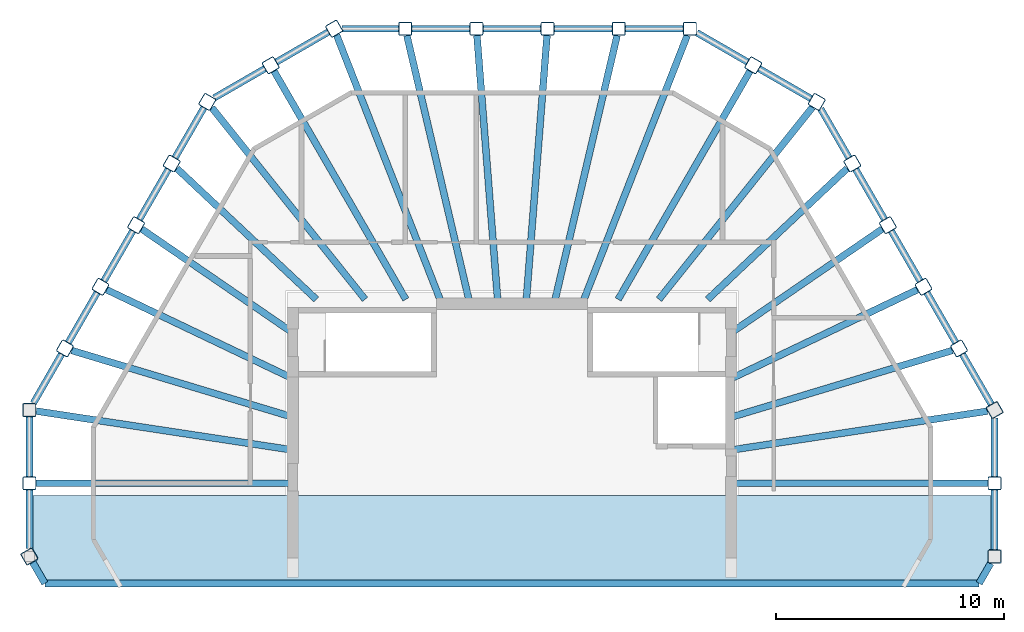
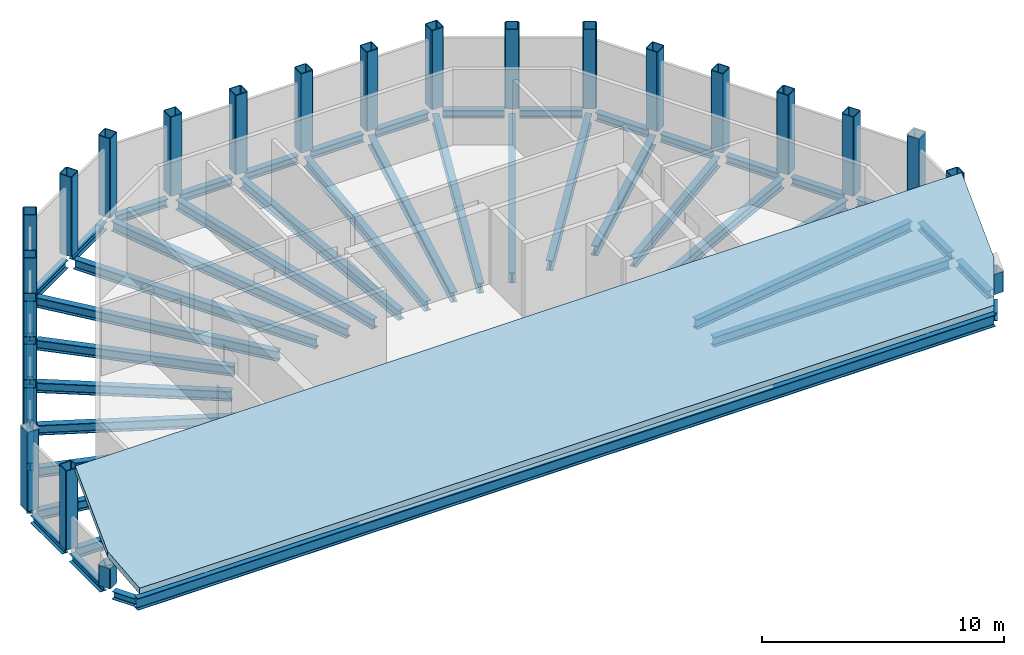
# One storey, part 1 of 4: 48 beams, 24 columns, 1 slab.
"""IFC4 building model written with IfcOpenShell, lengths in metres."""

from ifc_helpers import new_model, si_unit, direction, frame, origin, origin_2d, place, context, subcontext, project, spatial, polyline, hollow_rectangle, i_section, outline, extrude, material, layer, layer_set, material_profile, profile_set, type_object, element, save


model = new_model("IFC4")

# Units and contexts
model_context = context("Model", 3, precision=1e-05, world=origin(), true_north=direction((0.0, 1.0)))
body_context = subcontext(model_context, "Body", "Model", "MODEL_VIEW")
ifc_project = project(units=[si_unit("LENGTHUNIT", "METRE"), si_unit("AREAUNIT", "SQUARE_METRE"), si_unit("VOLUMEUNIT", "CUBIC_METRE"), si_unit("PLANEANGLEUNIT", "RADIAN"), si_unit("MASSUNIT", "GRAM", prefix="KILO")], contexts=[model_context])

# Site, building, storey
site_placement = place(None, origin())
site = spatial("IfcSite", under=ifc_project, at=site_placement, CompositionType="ELEMENT")
building_placement = place(site_placement, origin())
building = spatial("IfcBuilding", under=site, at=building_placement, Name="Frailejon Research Tower", CompositionType="ELEMENT")
storey_placement = place(building_placement, frame((0.0, 0.0, 364.60009765625)))
storey = spatial("IfcBuildingStorey", under=building, at=storey_placement, Name="L82", CompositionType="ELEMENT", Elevation=364.60009765625)

# Columns
ifc_material_1 = material(Name="Steel S355", Category="steel")
ifc_material_profile_1 = material_profile(ifc_material_1, hollow_rectangle(XDim=0.60009765625, YDim=0.60009765625, WallThickness=0.0400390625, InnerFilletRadius=0.0400390625, OuterFilletRadius=0.080078125, at=origin_2d()), Name="Crown column")
ifc_profile_set_1 = profile_set([ifc_material_profile_1], Name="Steel S355")
column_type = type_object("IfcColumnType", Name="Crown column", PredefinedType="COLUMN", material=ifc_profile_set_1)
column_1_placement = place(storey_placement, frame((21.12744140625, -3.2060546875, 0.0), z_axis=(0.0, 0.0, 1.0), x_axis=(0.0, 1.0, 0.0)))
element("IfcColumn", 1, at=column_1_placement, inside=storey, type_object=column_type, Name="Column C01", PredefinedType="COLUMN", context=body_context, shape_type="SweptSolid", body=[
    extrude(hollow_rectangle(XDim=0.60009765625, YDim=0.60009765625, WallThickness=0.0400390625, InnerFilletRadius=0.0400390625, OuterFilletRadius=0.080078125, at=origin_2d()), origin(), (0.0, 0.0, 1.0), 1.02392578125),
])
for number, where, z_axis, x_axis, name in (
    (2, (21.12744140625, 0.0, 0.0), (0.0, 0.0, 1.0), (0.0, 1.0, 0.0), "Column C02"),
    (3, (21.12744140625, 3.2060546875, 0.0), (0.0, 0.0, 1.0), (-0.5, 0.866025403784, 0.0), "Column C03"),
    (4, (19.570068359375, 5.903564453125, 0.0), (0.0, 0.0, 1.0), (-0.5, 0.866025403784, 0.0), "Column C04"),
    (5, (18.0126953125, 8.601318359375, 0.0), (0.0, 0.0, 1.0), (-0.5, 0.866025403784, 0.0), "Column C05"),
    (6, (16.455078125, 11.298828125, 0.0), (0.0, 0.0, 1.0), (-0.5, 0.866025403784, 0.0), "Column C06"),
    (7, (14.897705078125, 13.996337890625, 0.0), (0.0, 0.0, 1.0), (-0.5, 0.866025403784, 0.0), "Column C07"),
    (8, (13.34033203125, 16.69384765625, 0.0), (0.0, 0.0, 1.0), (-0.866025403784, 0.5, 0.0), "Column C08"),
    (9, (10.563720703125, 18.297119140625, 0.0), (0.0, 0.0, 1.0), (-0.866025403784, 0.5, 0.0), "Column C09"),
    (10, (7.787109375, 19.89990234375, 0.0), (0.0, 0.0, 1.0), (-1.0, 0.0, 0.0), "Column C10"),
    (11, (4.67236328125, 19.89990234375, 0.0), (0.0, 0.0, 1.0), (-1.0, 0.0, 0.0), "Column C11"),
    (12, (1.557373046875, 19.89990234375, 0.0), (0.0, 0.0, 1.0), (-1.0, 0.0, 0.0), "Column C12"),
    (13, (-1.557373046875, 19.89990234375, 0.0), (0.0, 0.0, 1.0), (-1.0, 0.0, 0.0), "Column C13"),
    (14, (-4.67236328125, 19.89990234375, 0.0), (0.0, 0.0, 1.0), (-1.0, 0.0, 0.0), "Column C14"),
    (15, (-7.787109375, 19.89990234375, 0.0), (0.0, 0.0, 1.0), (-0.866025403784, -0.5, 0.0), "Column C15"),
    (16, (-10.563720703125, 18.297119140625, 0.0), (0.0, 0.0, 1.0), (-0.866025403784, -0.5, 0.0), "Column C16"),
    (17, (-13.34033203125, 16.69384765625, 0.0), (0.0, 0.0, 1.0), (-0.5, -0.866025403784, 0.0), "Column C17"),
    (18, (-14.897705078125, 13.996337890625, 0.0), (0.0, 0.0, 1.0), (-0.5, -0.866025403784, 0.0), "Column C18"),
    (19, (-16.455078125, 11.298828125, 0.0), (0.0, 0.0, 1.0), (-0.5, -0.866025403784, 0.0), "Column C19"),
    (20, (-18.0126953125, 8.601318359375, 0.0), (0.0, 0.0, 1.0), (-0.5, -0.866025403784, 0.0), "Column C20"),
    (21, (-19.570068359375, 5.903564453125, 0.0), (0.0, 0.0, 1.0), (-0.5, -0.866025403784, 0.0), "Column C21"),
    (22, (-21.12744140625, 3.2060546875, 0.0), (0.0, 0.0, 1.0), (0.0, -1.0, 0.0), "Column C22"),
    (23, (-21.12744140625, 0.0, 0.0), (0.0, 0.0, 1.0), (0.0, -1.0, 0.0), "Column C23"),
):
    element("IfcColumn", number, at=place(storey_placement, frame(where, z_axis=z_axis, x_axis=x_axis)), inside=storey, type_object=column_type, Name=name, PredefinedType="COLUMN", context=body_context, shape_type="SweptSolid", body=[
        extrude(hollow_rectangle(XDim=0.60009765625, YDim=0.60009765625, WallThickness=0.0400390625, InnerFilletRadius=0.0400390625, OuterFilletRadius=0.080078125, at=origin_2d()), origin(), (0.0, 0.0, 1.0), 4.0),
    ])
column_2_placement = place(storey_placement, frame((-21.12744140625, -3.2060546875, 0.0), z_axis=(0.0, 0.0, 1.0), x_axis=(0.5, -0.866025403784, 0.0)))
element("IfcColumn", 24, at=column_2_placement, inside=storey, type_object=column_type, Name="Column C24", PredefinedType="COLUMN", context=body_context, shape_type="SweptSolid", body=[
    extrude(hollow_rectangle(XDim=0.60009765625, YDim=0.60009765625, WallThickness=0.0400390625, InnerFilletRadius=0.0400390625, OuterFilletRadius=0.080078125, at=origin_2d()), origin(), (0.0, 0.0, 1.0), 1.02392578125),
])

# Beams
ifc_material_2 = material(Name="Steel S355", Category="steel")
ifc_material_profile_2 = material_profile(ifc_material_2, i_section(OverallWidth=0.300048828125, OverallDepth=0.60009765625, WebThickness=0.015380859375, FlangeThickness=0.030029296875, FilletRadius=0.027099609375, at=origin_2d()), Name="HE 600 B")
ifc_profile_set_2 = profile_set([ifc_material_profile_2], Name="Steel S355")
beam_type_1 = type_object("IfcBeamType", Name="Crown chord beam", PredefinedType="BEAM", material=ifc_profile_set_2)
beam_1_placement = place(storey_placement, frame((20.44970703125, -4.380126953125, -0.5), z_axis=(-1.0, 0.0, 0.0), x_axis=(0.0, -1.0, 0.0)))
element("IfcBeam", 25, at=beam_1_placement, inside=storey, type_object=beam_type_1, Name="Crown chord beam", PredefinedType="BEAM", context=body_context, shape_type="SweptSolid", body=[
    extrude(i_section(OverallWidth=0.300048828125, OverallDepth=0.60009765625, WebThickness=0.015380859375, FlangeThickness=0.030029296875, FilletRadius=0.027099609375, at=origin_2d()), origin(), (0.0, 0.0, 1.0), 40.8994140625),
])
ifc_material_3 = material(Name="Steel S355", Category="steel")
ifc_material_profile_3 = material_profile(ifc_material_3, i_section(OverallWidth=0.300048828125, OverallDepth=0.5, WebThickness=0.014404296875, FlangeThickness=0.028076171875, FilletRadius=0.027099609375, at=origin_2d()), Name="HE 500 B")
ifc_profile_set_3 = profile_set([ifc_material_profile_3], Name="Steel S355")
beam_type_2 = type_object("IfcBeamType", Name="Crown girder", PredefinedType="BEAM", material=ifc_profile_set_3)
beam_2_placement = place(storey_placement, frame((20.827392578125, 0.0, -0.4501953125), z_axis=(-1.0, 0.0, 0.0), x_axis=(0.0, -1.0, 0.0)))
element("IfcBeam", 26, at=beam_2_placement, inside=storey, type_object=beam_type_2, Name="Crown girder", PredefinedType="BEAM", context=body_context, shape_type="SweptSolid", body=[
    extrude(i_section(OverallWidth=0.300048828125, OverallDepth=0.5, WebThickness=0.014404296875, FlangeThickness=0.028076171875, FilletRadius=0.027099609375, at=origin_2d()), origin(), (0.0, 0.0, 1.0), 11.27734375),
])
beam_3_placement = place(storey_placement, frame((20.80908203125, 3.15771484375, -0.4501953125), z_axis=(-0.988681897443, -0.150027016465, 0.0), x_axis=(0.150027016465, -0.988681897443, 0.0)))
element("IfcBeam", 27, at=beam_3_placement, inside=storey, type_object=beam_type_2, Name="Crown girder", PredefinedType="BEAM", context=body_context, shape_type="SweptSolid", body=[
    extrude(i_section(OverallWidth=0.300048828125, OverallDepth=0.5, WebThickness=0.014404296875, FlangeThickness=0.028076171875, FilletRadius=0.027099609375, at=origin_2d()), origin(), (0.0, 0.0, 1.0), 11.387939453125),
])
beam_4_placement = place(storey_placement, frame((19.275146484375, 5.814697265625, -0.4501953125), z_axis=(-0.957383273928, -0.288820475041, 0.0), x_axis=(0.288820475041, -0.957383273928, 0.0)))
element("IfcBeam", 28, at=beam_4_placement, inside=storey, type_object=beam_type_2, Name="Crown girder", PredefinedType="BEAM", context=body_context, shape_type="SweptSolid", body=[
    extrude(i_section(OverallWidth=0.300048828125, OverallDepth=0.5, WebThickness=0.014404296875, FlangeThickness=0.028076171875, FilletRadius=0.027099609375, at=origin_2d()), origin(), (0.0, 0.0, 1.0), 10.157958984375),
])
beam_5_placement = place(storey_placement, frame((17.7412109375, 8.471435546875, -0.4501953125), z_axis=(-0.902407599348, -0.430883423491, 0.0), x_axis=(0.430883423491, -0.902407599348, 0.0)))
element("IfcBeam", 29, at=beam_5_placement, inside=storey, type_object=beam_type_2, Name="Crown girder", PredefinedType="BEAM", context=body_context, shape_type="SweptSolid", body=[
    extrude(i_section(OverallWidth=0.300048828125, OverallDepth=0.5, WebThickness=0.014404296875, FlangeThickness=0.028076171875, FilletRadius=0.027099609375, at=origin_2d()), origin(), (0.0, 0.0, 1.0), 9.076904296875),
])
beam_6_placement = place(storey_placement, frame((16.20703125, 11.12841796875, -0.4501953125), z_axis=(-0.824367295754, -0.566055263814, 0.0), x_axis=(0.566055263814, -0.824367295754, 0.0)))
element("IfcBeam", 30, at=beam_6_placement, inside=storey, type_object=beam_type_2, Name="Crown girder", PredefinedType="BEAM", context=body_context, shape_type="SweptSolid", body=[
    extrude(i_section(OverallWidth=0.300048828125, OverallDepth=0.5, WebThickness=0.014404296875, FlangeThickness=0.028076171875, FilletRadius=0.027099609375, at=origin_2d()), origin(), (0.0, 0.0, 1.0), 8.0751953125),
])
beam_7_placement = place(storey_placement, frame((14.673095703125, 13.785400390625, -0.4501953125), z_axis=(-0.728812369992, -0.684713465141, 0.0), x_axis=(0.684713465141, -0.728812369992, 0.0)))
element("IfcBeam", 31, at=beam_7_placement, inside=storey, type_object=beam_type_2, Name="Crown girder", PredefinedType="BEAM", context=body_context, shape_type="SweptSolid", body=[
    extrude(i_section(OverallWidth=0.300048828125, OverallDepth=0.5, WebThickness=0.014404296875, FlangeThickness=0.028076171875, FilletRadius=0.027099609375, at=origin_2d()), origin(), (0.0, 0.0, 1.0), 8.376220703125),
])
beam_8_placement = place(storey_placement, frame((13.15087890625, 16.456787109375, -0.4501953125), z_axis=(-0.624277186009, -0.781202915399, 0.0), x_axis=(0.781202915399, -0.624277186009, 0.0)))
element("IfcBeam", 32, at=beam_8_placement, inside=storey, type_object=beam_type_2, Name="Crown girder", PredefinedType="BEAM", context=body_context, shape_type="SweptSolid", body=[
    extrude(i_section(OverallWidth=0.300048828125, OverallDepth=0.5, WebThickness=0.014404296875, FlangeThickness=0.028076171875, FilletRadius=0.027099609375, at=origin_2d()), origin(), (0.0, 0.0, 1.0), 10.76123046875),
])
beam_9_placement = place(storey_placement, frame((10.413818359375, 18.037109375, -0.4501953125), z_axis=(-0.500005279996, -0.866022355356, 0.0), x_axis=(0.866022355356, -0.500005279996, 0.0)))
element("IfcBeam", 33, at=beam_9_placement, inside=storey, type_object=beam_type_2, Name="Crown girder", PredefinedType="BEAM", context=body_context, shape_type="SweptSolid", body=[
    extrude(i_section(OverallWidth=0.300048828125, OverallDepth=0.5, WebThickness=0.014404296875, FlangeThickness=0.028076171875, FilletRadius=0.027099609375, at=origin_2d()), origin(), (0.0, 0.0, 1.0), 11.5322265625),
])
beam_10_placement = place(storey_placement, frame((7.669921875, 19.60009765625, -0.4501953125), z_axis=(-0.364412707951, -0.931237552015, 0.0), x_axis=(0.931237552015, -0.364412707951, 0.0)))
element("IfcBeam", 34, at=beam_10_placement, inside=storey, type_object=beam_type_2, Name="Crown girder", PredefinedType="BEAM", context=body_context, shape_type="SweptSolid", body=[
    extrude(i_section(OverallWidth=0.300048828125, OverallDepth=0.5, WebThickness=0.014404296875, FlangeThickness=0.028076171875, FilletRadius=0.027099609375, at=origin_2d()), origin(), (0.0, 0.0, 1.0), 12.40283203125),
])
beam_11_placement = place(storey_placement, frame((4.601806640625, 19.60009765625, -0.4501953125), z_axis=(-0.228561016932, -0.973529589452, 0.0), x_axis=(0.973529589452, -0.228561016932, 0.0)))
element("IfcBeam", 35, at=beam_11_placement, inside=storey, type_object=beam_type_2, Name="Crown girder", PredefinedType="BEAM", context=body_context, shape_type="SweptSolid", body=[
    extrude(i_section(OverallWidth=0.300048828125, OverallDepth=0.5, WebThickness=0.014404296875, FlangeThickness=0.028076171875, FilletRadius=0.027099609375, at=origin_2d()), origin(), (0.0, 0.0, 1.0), 11.864013671875),
])
for number, where, z_axis, x_axis, name in (
    (36, (1.533935546875, 19.60009765625, -0.4501953125), (-0.078033956508, -0.996950701706, 0.0), (0.996950701706, -0.078033956508, 0.0), "Crown girder"),
    (37, (-1.533935546875, 19.60009765625, -0.4501953125), (0.078033956508, -0.996950701706, 0.0), (0.996950701706, 0.078033956508, 0.0), "Crown girder"),
):
    element("IfcBeam", number, at=place(storey_placement, frame(where, z_axis=z_axis, x_axis=x_axis)), inside=storey, type_object=beam_type_2, Name=name, PredefinedType="BEAM", context=body_context, shape_type="SweptSolid", body=[
        extrude(i_section(OverallWidth=0.300048828125, OverallDepth=0.5, WebThickness=0.014404296875, FlangeThickness=0.028076171875, FilletRadius=0.027099609375, at=origin_2d()), origin(), (0.0, 0.0, 1.0), 11.58544921875),
    ])
beam_12_placement = place(storey_placement, frame((-4.601806640625, 19.60009765625, -0.4501953125), z_axis=(0.228561016932, -0.973529589452, 0.0), x_axis=(0.973529589452, 0.228561016932, 0.0)))
element("IfcBeam", 38, at=beam_12_placement, inside=storey, type_object=beam_type_2, Name="Crown girder", PredefinedType="BEAM", context=body_context, shape_type="SweptSolid", body=[
    extrude(i_section(OverallWidth=0.300048828125, OverallDepth=0.5, WebThickness=0.014404296875, FlangeThickness=0.028076171875, FilletRadius=0.027099609375, at=origin_2d()), origin(), (0.0, 0.0, 1.0), 11.864013671875),
])
beam_13_placement = place(storey_placement, frame((-7.676513671875, 19.617431640625, -0.4501953125), z_axis=(0.364399348581, -0.931242779706, 0.0), x_axis=(0.931242779706, 0.364399348581, 0.0)))
element("IfcBeam", 39, at=beam_13_placement, inside=storey, type_object=beam_type_2, Name="Crown girder", PredefinedType="BEAM", context=body_context, shape_type="SweptSolid", body=[
    extrude(i_section(OverallWidth=0.300048828125, OverallDepth=0.5, WebThickness=0.014404296875, FlangeThickness=0.028076171875, FilletRadius=0.027099609375, at=origin_2d()), origin(), (0.0, 0.0, 1.0), 12.42138671875),
])
beam_14_placement = place(storey_placement, frame((-10.413818359375, 18.037109375, -0.4501953125), z_axis=(0.500005279996, -0.866022355356, 0.0), x_axis=(0.866022355356, 0.500005279996, 0.0)))
element("IfcBeam", 40, at=beam_14_placement, inside=storey, type_object=beam_type_2, Name="Crown girder", PredefinedType="BEAM", context=body_context, shape_type="SweptSolid", body=[
    extrude(i_section(OverallWidth=0.300048828125, OverallDepth=0.5, WebThickness=0.014404296875, FlangeThickness=0.028076171875, FilletRadius=0.027099609375, at=origin_2d()), origin(), (0.0, 0.0, 1.0), 11.5322265625),
])
beam_15_placement = place(storey_placement, frame((-13.13916015625, 16.442138671875, -0.4501953125), z_axis=(0.624276456161, -0.781203498637, 0.0), x_axis=(0.781203498637, 0.624276456161, 0.0)))
element("IfcBeam", 41, at=beam_15_placement, inside=storey, type_object=beam_type_2, Name="Crown girder", PredefinedType="BEAM", context=body_context, shape_type="SweptSolid", body=[
    extrude(i_section(OverallWidth=0.300048828125, OverallDepth=0.5, WebThickness=0.014404296875, FlangeThickness=0.028076171875, FilletRadius=0.027099609375, at=origin_2d()), origin(), (0.0, 0.0, 1.0), 10.742431640625),
])
beam_16_placement = place(storey_placement, frame((-14.673095703125, 13.785400390625, -0.4501953125), z_axis=(0.728812369992, -0.684713465141, 0.0), x_axis=(0.684713465141, 0.728812369992, 0.0)))
element("IfcBeam", 42, at=beam_16_placement, inside=storey, type_object=beam_type_2, Name="Crown girder", PredefinedType="BEAM", context=body_context, shape_type="SweptSolid", body=[
    extrude(i_section(OverallWidth=0.300048828125, OverallDepth=0.5, WebThickness=0.014404296875, FlangeThickness=0.028076171875, FilletRadius=0.027099609375, at=origin_2d()), origin(), (0.0, 0.0, 1.0), 8.376220703125),
])
beam_17_placement = place(storey_placement, frame((-16.20703125, 11.12841796875, -0.4501953125), z_axis=(0.824367295754, -0.566055263814, 0.0), x_axis=(0.566055263814, 0.824367295754, 0.0)))
element("IfcBeam", 43, at=beam_17_placement, inside=storey, type_object=beam_type_2, Name="Crown girder", PredefinedType="BEAM", context=body_context, shape_type="SweptSolid", body=[
    extrude(i_section(OverallWidth=0.300048828125, OverallDepth=0.5, WebThickness=0.014404296875, FlangeThickness=0.028076171875, FilletRadius=0.027099609375, at=origin_2d()), origin(), (0.0, 0.0, 1.0), 8.0751953125),
])
beam_18_placement = place(storey_placement, frame((-17.7412109375, 8.471435546875, -0.4501953125), z_axis=(0.902407599348, -0.430883423491, 0.0), x_axis=(0.430883423491, 0.902407599348, 0.0)))
element("IfcBeam", 44, at=beam_18_placement, inside=storey, type_object=beam_type_2, Name="Crown girder", PredefinedType="BEAM", context=body_context, shape_type="SweptSolid", body=[
    extrude(i_section(OverallWidth=0.300048828125, OverallDepth=0.5, WebThickness=0.014404296875, FlangeThickness=0.028076171875, FilletRadius=0.027099609375, at=origin_2d()), origin(), (0.0, 0.0, 1.0), 9.076904296875),
])
beam_19_placement = place(storey_placement, frame((-19.275146484375, 5.814697265625, -0.4501953125), z_axis=(0.957383273928, -0.288820475041, 0.0), x_axis=(0.288820475041, 0.957383273928, 0.0)))
element("IfcBeam", 45, at=beam_19_placement, inside=storey, type_object=beam_type_2, Name="Crown girder", PredefinedType="BEAM", context=body_context, shape_type="SweptSolid", body=[
    extrude(i_section(OverallWidth=0.300048828125, OverallDepth=0.5, WebThickness=0.014404296875, FlangeThickness=0.028076171875, FilletRadius=0.027099609375, at=origin_2d()), origin(), (0.0, 0.0, 1.0), 10.157958984375),
])
beam_20_placement = place(storey_placement, frame((-20.827392578125, 3.16064453125, -0.4501953125), z_axis=(0.988679931641, -0.150039970575, 0.0), x_axis=(0.150039970575, 0.988679931641, 0.0)))
element("IfcBeam", 46, at=beam_20_placement, inside=storey, type_object=beam_type_2, Name="Crown girder", PredefinedType="BEAM", context=body_context, shape_type="SweptSolid", body=[
    extrude(i_section(OverallWidth=0.300048828125, OverallDepth=0.5, WebThickness=0.014404296875, FlangeThickness=0.028076171875, FilletRadius=0.027099609375, at=origin_2d()), origin(), (0.0, 0.0, 1.0), 11.406494140625),
])
beam_21_placement = place(storey_placement, frame((-20.827392578125, 0.0, -0.4501953125), z_axis=(1.0, 0.0, 0.0), x_axis=(0.0, 1.0, 0.0)))
element("IfcBeam", 47, at=beam_21_placement, inside=storey, type_object=beam_type_2, Name="Crown girder", PredefinedType="BEAM", context=body_context, shape_type="SweptSolid", body=[
    extrude(i_section(OverallWidth=0.300048828125, OverallDepth=0.5, WebThickness=0.014404296875, FlangeThickness=0.028076171875, FilletRadius=0.027099609375, at=origin_2d()), origin(), (0.0, 0.0, 1.0), 11.27734375),
])
ifc_material_4 = material(Name="Steel S355", Category="steel")
ifc_material_profile_4 = material_profile(ifc_material_4, i_section(OverallWidth=0.300048828125, OverallDepth=0.39990234375, WebThickness=0.013427734375, FlangeThickness=0.02392578125, FilletRadius=0.027099609375, at=origin_2d()), Name="HE 400 B")
ifc_profile_set_4 = profile_set([ifc_material_profile_4], Name="Steel S355")
beam_type_3 = type_object("IfcBeamType", Name="Crown ring beam", PredefinedType="BEAM", material=ifc_profile_set_4)
beam_22_placement = place(storey_placement, frame((21.12744140625, -2.906005859375, -0.400146484375), z_axis=(0.0, 1.0, 0.0), x_axis=(-1.0, 0.0, 0.0)))
element("IfcBeam", 48, at=beam_22_placement, inside=storey, type_object=beam_type_3, Name="Crown ring beam", PredefinedType="BEAM", context=body_context, shape_type="SweptSolid", body=[
    extrude(i_section(OverallWidth=0.300048828125, OverallDepth=0.39990234375, WebThickness=0.013427734375, FlangeThickness=0.02392578125, FilletRadius=0.027099609375, at=origin_2d()), origin(), (0.0, 0.0, 1.0), 2.60595703125),
])
beam_23_placement = place(storey_placement, frame((21.12744140625, 0.300048828125, -0.400146484375), z_axis=(0.0, 1.0, 0.0), x_axis=(-1.0, 0.0, 0.0)))
element("IfcBeam", 49, at=beam_23_placement, inside=storey, type_object=beam_type_3, Name="Crown ring beam", PredefinedType="BEAM", context=body_context, shape_type="SweptSolid", body=[
    extrude(i_section(OverallWidth=0.300048828125, OverallDepth=0.39990234375, WebThickness=0.013427734375, FlangeThickness=0.02392578125, FilletRadius=0.027099609375, at=origin_2d()), origin(), (0.0, 0.0, 1.0), 2.5595703125),
])
for number, where, z_axis, x_axis, name in (
    (50, (20.9775390625, 3.4658203125, -0.400146484375), (-0.499960554673, 0.866048176357, 0.0), (-0.866048176357, -0.499960554673, 0.0), "Crown ring beam"),
    (51, (19.420166015625, 6.163330078125, -0.400146484375), (-0.500033362991, 0.866006140796, 0.0), (-0.866006140796, -0.500033362991, 0.0), "Crown ring beam"),
    (52, (17.862548828125, 8.861083984375, -0.400146484375), (-0.499960554673, 0.866048176357, 0.0), (-0.866048176357, -0.499960554673, 0.0), "Crown ring beam"),
    (53, (16.30517578125, 11.55859375, -0.400146484375), (-0.500033362991, 0.866006140796, 0.0), (-0.866006140796, -0.500033362991, 0.0), "Crown ring beam"),
):
    element("IfcBeam", number, at=place(storey_placement, frame(where, z_axis=z_axis, x_axis=x_axis)), inside=storey, type_object=beam_type_3, Name=name, PredefinedType="BEAM", context=body_context, shape_type="SweptSolid", body=[
        extrude(i_section(OverallWidth=0.300048828125, OverallDepth=0.39990234375, WebThickness=0.013427734375, FlangeThickness=0.02392578125, FilletRadius=0.027099609375, at=origin_2d()), origin(), (0.0, 0.0, 1.0), 2.514892578125),
    ])
beam_24_placement = place(storey_placement, frame((14.747802734375, 14.256103515625, -0.400146484375), z_axis=(-0.500053484023, 0.865994522568, 0.0), x_axis=(-0.865994522568, -0.500053484023, 0.0)))
element("IfcBeam", 54, at=beam_24_placement, inside=storey, type_object=beam_type_3, Name="Crown ring beam", PredefinedType="BEAM", context=body_context, shape_type="SweptSolid", body=[
    extrude(i_section(OverallWidth=0.300048828125, OverallDepth=0.39990234375, WebThickness=0.013427734375, FlangeThickness=0.02392578125, FilletRadius=0.027099609375, at=origin_2d()), origin(), (0.0, 0.0, 1.0), 2.468505859375),
])
beam_25_placement = place(storey_placement, frame((13.08056640625, 16.843994140625, -0.400146484375), z_axis=(-0.866049872286, 0.499957616916, 0.0), x_axis=(-0.499957616916, -0.866049872286, 0.0)))
element("IfcBeam", 55, at=beam_25_placement, inside=storey, type_object=beam_type_3, Name="Crown ring beam", PredefinedType="BEAM", context=body_context, shape_type="SweptSolid", body=[
    extrude(i_section(OverallWidth=0.300048828125, OverallDepth=0.39990234375, WebThickness=0.013427734375, FlangeThickness=0.02392578125, FilletRadius=0.027099609375, at=origin_2d()), origin(), (0.0, 0.0, 1.0), 2.606201171875),
])
beam_26_placement = place(storey_placement, frame((10.303955078125, 18.447021484375, -0.400146484375), z_axis=(-0.866039463868, 0.499975646431, 0.0), x_axis=(-0.499975646431, -0.866039463868, 0.0)))
element("IfcBeam", 56, at=beam_26_placement, inside=storey, type_object=beam_type_3, Name="Crown ring beam", PredefinedType="BEAM", context=body_context, shape_type="SweptSolid", body=[
    extrude(i_section(OverallWidth=0.300048828125, OverallDepth=0.39990234375, WebThickness=0.013427734375, FlangeThickness=0.02392578125, FilletRadius=0.027099609375, at=origin_2d()), origin(), (0.0, 0.0, 1.0), 2.559814453125),
])
for number, where, z_axis, x_axis, name in (
    (57, (7.4873046875, 19.89990234375, -0.400146484375), (-1.0, 0.0, 0.0), (0.0, -1.0, 0.0), "Crown ring beam"),
    (58, (4.372314453125, 19.89990234375, -0.400146484375), (-1.0, 0.0, 0.0), (0.0, -1.0, 0.0), "Crown ring beam"),
):
    element("IfcBeam", number, at=place(storey_placement, frame(where, z_axis=z_axis, x_axis=x_axis)), inside=storey, type_object=beam_type_3, Name=name, PredefinedType="BEAM", context=body_context, shape_type="SweptSolid", body=[
        extrude(i_section(OverallWidth=0.300048828125, OverallDepth=0.39990234375, WebThickness=0.013427734375, FlangeThickness=0.02392578125, FilletRadius=0.027099609375, at=origin_2d()), origin(), (0.0, 0.0, 1.0), 2.514892578125),
    ])
beam_27_placement = place(storey_placement, frame((1.25732421875, 19.89990234375, -0.400146484375), z_axis=(-1.0, 0.0, 0.0), x_axis=(0.0, -1.0, 0.0)))
element("IfcBeam", 59, at=beam_27_placement, inside=storey, type_object=beam_type_3, Name="Crown ring beam", PredefinedType="BEAM", context=body_context, shape_type="SweptSolid", body=[
    extrude(i_section(OverallWidth=0.300048828125, OverallDepth=0.39990234375, WebThickness=0.013427734375, FlangeThickness=0.02392578125, FilletRadius=0.027099609375, at=origin_2d()), origin(), (0.0, 0.0, 1.0), 2.5146484375),
])
beam_28_placement = place(storey_placement, frame((-1.857421875, 19.89990234375, -0.400146484375), z_axis=(-1.0, 0.0, 0.0), x_axis=(0.0, -1.0, 0.0)))
element("IfcBeam", 60, at=beam_28_placement, inside=storey, type_object=beam_type_3, Name="Crown ring beam", PredefinedType="BEAM", context=body_context, shape_type="SweptSolid", body=[
    extrude(i_section(OverallWidth=0.300048828125, OverallDepth=0.39990234375, WebThickness=0.013427734375, FlangeThickness=0.02392578125, FilletRadius=0.027099609375, at=origin_2d()), origin(), (0.0, 0.0, 1.0), 2.514892578125),
])
beam_29_placement = place(storey_placement, frame((-4.972412109375, 19.89990234375, -0.400146484375), z_axis=(-1.0, 0.0, 0.0), x_axis=(0.0, -1.0, 0.0)))
element("IfcBeam", 61, at=beam_29_placement, inside=storey, type_object=beam_type_3, Name="Crown ring beam", PredefinedType="BEAM", context=body_context, shape_type="SweptSolid", body=[
    extrude(i_section(OverallWidth=0.300048828125, OverallDepth=0.39990234375, WebThickness=0.013427734375, FlangeThickness=0.02392578125, FilletRadius=0.027099609375, at=origin_2d()), origin(), (0.0, 0.0, 1.0), 2.468505859375),
])
beam_30_placement = place(storey_placement, frame((-8.047119140625, 19.75, -0.400146484375), z_axis=(-0.866026453994, -0.499998180979, 0.0), x_axis=(0.499998180979, -0.866026453994, 0.0)))
element("IfcBeam", 62, at=beam_30_placement, inside=storey, type_object=beam_type_3, Name="Crown ring beam", PredefinedType="BEAM", context=body_context, shape_type="SweptSolid", body=[
    extrude(i_section(OverallWidth=0.300048828125, OverallDepth=0.39990234375, WebThickness=0.013427734375, FlangeThickness=0.02392578125, FilletRadius=0.027099609375, at=origin_2d()), origin(), (0.0, 0.0, 1.0), 2.60595703125),
])
beam_31_placement = place(storey_placement, frame((-10.823486328125, 18.14697265625, -0.400146484375), z_axis=(-0.866039463868, -0.499975646431, 0.0), x_axis=(0.499975646431, -0.866039463868, 0.0)))
element("IfcBeam", 63, at=beam_31_placement, inside=storey, type_object=beam_type_3, Name="Crown ring beam", PredefinedType="BEAM", context=body_context, shape_type="SweptSolid", body=[
    extrude(i_section(OverallWidth=0.300048828125, OverallDepth=0.39990234375, WebThickness=0.013427734375, FlangeThickness=0.02392578125, FilletRadius=0.027099609375, at=origin_2d()), origin(), (0.0, 0.0, 1.0), 2.559814453125),
])
for number, where, z_axis, x_axis, name in (
    (64, (-13.490234375, 16.43408203125, -0.400146484375), (-0.500033362991, -0.866006140796, 0.0), (0.866006140796, -0.500033362991, 0.0), "Crown ring beam"),
    (65, (-15.047607421875, 13.736572265625, -0.400146484375), (-0.500033362991, -0.866006140796, 0.0), (0.866006140796, -0.500033362991, 0.0), "Crown ring beam"),
    (66, (-16.605224609375, 11.0390625, -0.400146484375), (-0.499960554673, -0.866048176357, 0.0), (0.866048176357, -0.499960554673, 0.0), "Crown ring beam"),
    (67, (-18.16259765625, 8.34130859375, -0.400146484375), (-0.500033362991, -0.866006140796, 0.0), (0.866006140796, -0.500033362991, 0.0), "Crown ring beam"),
):
    element("IfcBeam", number, at=place(storey_placement, frame(where, z_axis=z_axis, x_axis=x_axis)), inside=storey, type_object=beam_type_3, Name=name, PredefinedType="BEAM", context=body_context, shape_type="SweptSolid", body=[
        extrude(i_section(OverallWidth=0.300048828125, OverallDepth=0.39990234375, WebThickness=0.013427734375, FlangeThickness=0.02392578125, FilletRadius=0.027099609375, at=origin_2d()), origin(), (0.0, 0.0, 1.0), 2.514892578125),
    ])
beam_32_placement = place(storey_placement, frame((-19.72021484375, 5.643798828125, -0.400146484375), z_axis=(-0.499979306572, -0.866037350811, 0.0), x_axis=(0.866037350811, -0.499979306572, 0.0)))
element("IfcBeam", 68, at=beam_32_placement, inside=storey, type_object=beam_type_3, Name="Crown ring beam", PredefinedType="BEAM", context=body_context, shape_type="SweptSolid", body=[
    extrude(i_section(OverallWidth=0.300048828125, OverallDepth=0.39990234375, WebThickness=0.013427734375, FlangeThickness=0.02392578125, FilletRadius=0.027099609375, at=origin_2d()), origin(), (0.0, 0.0, 1.0), 2.46826171875),
])
beam_33_placement = place(storey_placement, frame((-21.12744140625, 2.906005859375, -0.400146484375), z_axis=(0.0, -1.0, 0.0), x_axis=(1.0, 0.0, 0.0)))
element("IfcBeam", 69, at=beam_33_placement, inside=storey, type_object=beam_type_3, Name="Crown ring beam", PredefinedType="BEAM", context=body_context, shape_type="SweptSolid", body=[
    extrude(i_section(OverallWidth=0.300048828125, OverallDepth=0.39990234375, WebThickness=0.013427734375, FlangeThickness=0.02392578125, FilletRadius=0.027099609375, at=origin_2d()), origin(), (0.0, 0.0, 1.0), 2.60595703125),
])
beam_34_placement = place(storey_placement, frame((-21.12744140625, -0.300048828125, -0.400146484375), z_axis=(0.0, -1.0, 0.0), x_axis=(1.0, 0.0, 0.0)))
element("IfcBeam", 70, at=beam_34_placement, inside=storey, type_object=beam_type_3, Name="Crown ring beam", PredefinedType="BEAM", context=body_context, shape_type="SweptSolid", body=[
    extrude(i_section(OverallWidth=0.300048828125, OverallDepth=0.39990234375, WebThickness=0.013427734375, FlangeThickness=0.02392578125, FilletRadius=0.027099609375, at=origin_2d()), origin(), (0.0, 0.0, 1.0), 2.5595703125),
])
beam_35_placement = place(storey_placement, frame((20.44970703125, -4.380126953125, -0.400146484375), z_axis=(0.500015609314, 0.866016391555, 0.0), x_axis=(-0.866016391555, 0.500015609314, 0.0)))
element("IfcBeam", 71, at=beam_35_placement, inside=storey, type_object=beam_type_3, Name="Crown ring beam", PredefinedType="BEAM", context=body_context, shape_type="SweptSolid", body=[
    extrude(i_section(OverallWidth=0.300048828125, OverallDepth=0.39990234375, WebThickness=0.013427734375, FlangeThickness=0.02392578125, FilletRadius=0.027099609375, at=origin_2d()), origin(), (0.0, 0.0, 1.0), 1.00927734375),
])
beam_36_placement = place(storey_placement, frame((-20.44970703125, -4.380126953125, -0.400146484375), z_axis=(-0.499969342782, 0.866043103014, 0.0), x_axis=(-0.866043103014, -0.499969342782, 0.0)))
element("IfcBeam", 72, at=beam_36_placement, inside=storey, type_object=beam_type_3, Name="Crown ring beam", PredefinedType="BEAM", context=body_context, shape_type="SweptSolid", body=[
    extrude(i_section(OverallWidth=0.300048828125, OverallDepth=0.39990234375, WebThickness=0.013427734375, FlangeThickness=0.02392578125, FilletRadius=0.027099609375, at=origin_2d()), origin(), (0.0, 0.0, 1.0), 1.0556640625),
])

# Slab
ifc_material_5 = material(Name="Safety glass roof panel on steel frame", Category="steel")
ifc_layer = layer(ifc_material_5, 0.300048828125)
ifc_layer_set = layer_set([ifc_layer], Name="Crown glazed roof facet 300")
slab_type = type_object("IfcSlabType", Name="Crown glazed roof facet 300", PredefinedType="ROOF", material=ifc_layer_set)
slab_placement = place(storey_placement, frame((21.12744140625, -3.2060546875, 1.323974609375), z_axis=(0.0, -0.707107173913, 0.70710638846), x_axis=(-0.377937656491, -0.654661048051, -0.654661775247)))
element("IfcSlab", 73, at=slab_placement, inside=storey, type_object=slab_type, Name="Crown glazed roof facet 6", PredefinedType="ROOF", context=body_context, shape_type="SweptSolid", body=[
    extrude(outline(polyline([(0.0, 0.0), (2.0225671714530824, 5.551115123125783e-17), (17.414484219773875, -37.705463938914015), (15.969711385466265, -39.1208824001072), (12.466090095151076, -40.55111140767568), (-3.5036212903151895, -1.430229007568479), (0.0, 0.0)])), origin(), (-0.654661775247, -0.267242428197, 0.70710638846), 0.300048828125),
])

save(model, "model.ifc")
